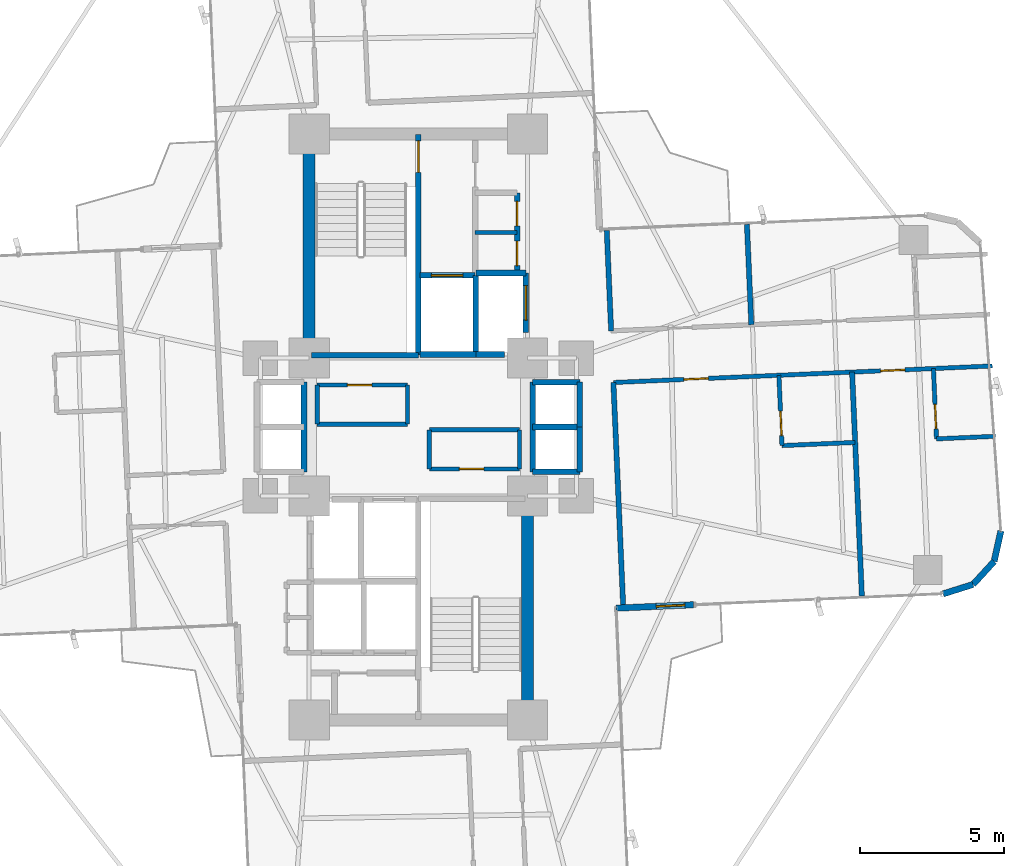
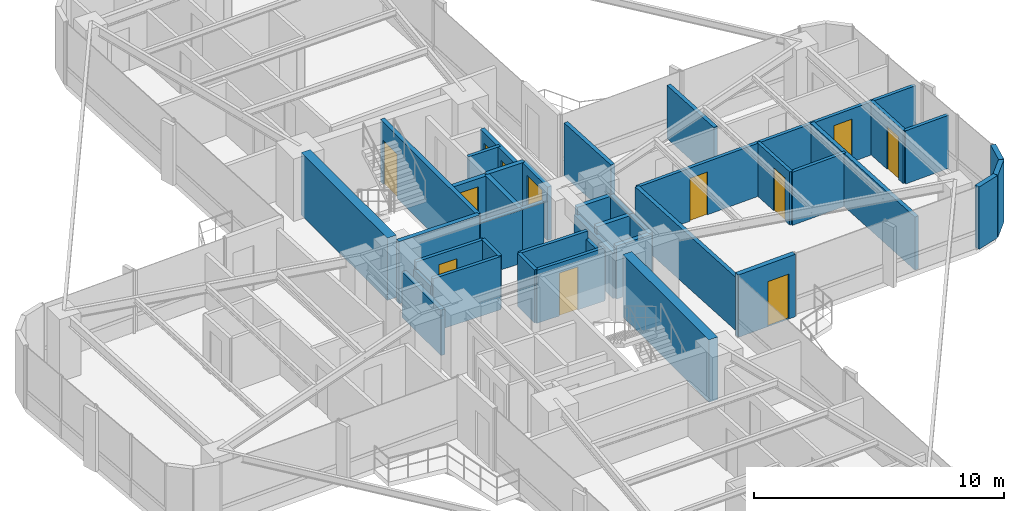
# One storey, part 24 of 27: 40 walls, 12 doors, 12 openings.
"""IFC4 building model written with IfcOpenShell, lengths in metres."""

from ifc_helpers import new_model, si_unit, direction, frame, frame_2d, origin, origin_2d, place, context, subcontext, project, spatial, rectangle, extrude, source, transform, mapped, material, layer, layer_set, type_object, element, fill, save


model = new_model("IFC4")

# Units and contexts
model_context = context("Model", 3, precision=1e-05, world=origin(), true_north=direction((0.0, 1.0)))
body_context = subcontext(model_context, "Body", "Model", "MODEL_VIEW")
ifc_project = project(units=[si_unit("LENGTHUNIT", "METRE"), si_unit("AREAUNIT", "SQUARE_METRE"), si_unit("VOLUMEUNIT", "CUBIC_METRE"), si_unit("PLANEANGLEUNIT", "RADIAN"), si_unit("MASSUNIT", "GRAM", prefix="KILO")], contexts=[model_context])

# Site, building, storey
site_placement = place(None, origin())
site = spatial("IfcSite", under=ifc_project, at=site_placement, CompositionType="ELEMENT")
building_placement = place(site_placement, origin())
building = spatial("IfcBuilding", under=site, at=building_placement, Name="Sahyath Konkavel Grand Hotel", CompositionType="ELEMENT")
storey_placement = place(building_placement, frame((0.0, 0.0, 103.60009765625)))
storey = spatial("IfcBuildingStorey", under=building, at=storey_placement, Name="L28", CompositionType="ELEMENT", Elevation=103.60009765625)

# Walls
ifc_material_1 = material(Name="Concrete C50/60", Category="concrete")
ifc_layer_1 = layer(ifc_material_1, 0.419921875)
ifc_layer_set_1 = layer_set([ifc_layer_1], Name="Concrete C50/60")
wall_type_1 = type_object("IfcWallType", Name="CWALL-420", PredefinedType="SHEAR", material=ifc_layer_set_1)
for number, where, z_axis, x_axis, name in (
    (1, (-3.800048828125, 2.85009765625, 0.0), (0.0, 0.0, 1.0), (0.0, 1.0, 0.0), "L28 North Core Shear Wall W"),
    (2, (3.800048828125, -9.75, 0.0), (0.0, 0.0, 1.0), (0.0, 1.0, 0.0), "L28 South Core Shear Wall E"),
):
    element("IfcWall", number, at=place(storey_placement, frame(where, z_axis=z_axis, x_axis=x_axis)), inside=storey, type_object=wall_type_1, Name=name, PredefinedType="SHEAR", context=body_context, shape_type="SweptSolid", body=[
        extrude(rectangle(XDim=6.89990234375, YDim=0.419921875, at=frame_2d((3.449951171875, 0.0))), origin(), (0.0, 0.0, 1.0), 3.0498046875),
    ])

# Wall, opening, door
ifc_material_2 = material(Name="Warm Buff Sandstone Insulated Concrete C40/50", Category="masonry")
ifc_layer_2 = layer(ifc_material_2, 0.219970703125)
ifc_layer_set_2 = layer_set([ifc_layer_2], Name="Warm Buff Sandstone Insulated Concrete C40/50")
wall_type_2 = type_object("IfcWallType", Name="WLL-BALC-THRESH", PredefinedType="STANDARD", material=ifc_layer_set_2)
wall_1_placement = place(storey_placement, frame((6.881591796875, -6.305908203125, 0.0), z_axis=(0.0, 0.0, 1.0), x_axis=(0.999045894436, 0.043672655174, 0.0)))
wall_1 = element("IfcWall", 3, at=wall_1_placement, inside=storey, type_object=wall_type_2, Name="L28 Winter-Garden Threshold Wall 0", PredefinedType="STANDARD", context=body_context, shape_type="SweptSolid", body=[
    extrude(rectangle(XDim=2.7001953125, YDim=0.219970703125, at=frame_2d((1.35009765625, 0.0))), origin(), (0.0, 0.0, 1.0), 3.0498046875),
])
opening_1_placement = place(wall_1_placement, frame((1.39990234375, 0.0, 0.0)))
opening_1 = element("IfcOpeningElement", 4, at=opening_1_placement, cuts=wall_1, Name="Opening D-TR1", PredefinedType="OPENING", context=body_context, shape_type="SweptSolid", body=[
    extrude(rectangle(XDim=1.0, YDim=2.199951171875, at=frame_2d((0.5, 1.10009765625))), frame((0.0, 0.1201171875, 0.0), z_axis=(0.0, -1.0, 0.0), x_axis=(1.0, 0.0, 0.0)), (0.0, 0.0, 1.0), 0.239990234375),
])
ifc_material_3 = material(Name="Anodised Bronze Aluminium & Low-E Glazing", Category="aluminium")
door_type_1 = type_object("IfcDoorType", Name="DR-TERRACE-1000", OperationType="NOTDEFINED", PredefinedType="DOOR", material=ifc_material_3)
shared_shape_1 = source(origin(), body_context, "Body", "SweptSolid", [
    extrude(rectangle(XDim=1.0, YDim=0.050048828125, at=origin_2d()), origin(), (0.0, 0.0, 1.0), 2.199951171875),
])
door_1_placement = place(opening_1_placement, frame((0.5, 0.0, 0.0)))
door_1 = element("IfcDoor", 5, at=door_1_placement, inside=storey, type_object=door_type_1, Name="L28 Winter-Garden Terrace Door 0", OperationType="SINGLE_SWING_LEFT", OverallHeight=2.199951171875, OverallWidth=1.0, PredefinedType="DOOR", context=body_context, shape_type="MappedRepresentation", body=[
    mapped(shared_shape_1, transform((0.0, 0.0, 0.0), scale=1.0)),
])
fill(opening_1, door_1)

# Walls
for number, where, z_axis, x_axis, name in (
    (6, (18.270751953125, -5.80859375, 0.0), (0.0, 0.0, 1.0), (0.953721713582, 0.30069069331, 0.0), "L28 Rounded Corner Sandstone Pier 1"),
    (7, (19.3076171875, -5.481689453125, 0.0), (0.0, 0.0, 1.0), (0.675551721847, 0.737312600672, 0.0), "L28 Rounded Corner Sandstone Pier 2"),
):
    element("IfcWall", number, at=place(storey_placement, frame(where, z_axis=z_axis, x_axis=x_axis)), inside=storey, type_object=wall_type_2, Name=name, PredefinedType="STANDARD", context=body_context, shape_type="SweptSolid", body=[
        extrude(rectangle(XDim=1.087158203125, YDim=0.219970703125, at=frame_2d((0.54345703125, 0.0))), origin(), (0.0, 0.0, 1.0), 3.0498046875),
    ])
wall_2_placement = place(storey_placement, frame((20.0419921875, -4.68017578125, 0.0), z_axis=(0.0, 0.0, 1.0), x_axis=(0.216288323511, 0.976329535102, 0.0)))
element("IfcWall", 8, at=wall_2_placement, inside=storey, type_object=wall_type_2, Name="L28 Rounded Corner Sandstone Pier 3", PredefinedType="STANDARD", context=body_context, shape_type="SweptSolid", body=[
    extrude(rectangle(XDim=1.0869140625, YDim=0.219970703125, at=frame_2d((0.54345703125, 0.0))), origin(), (0.0, 0.0, 1.0), 3.0498046875),
])

# Wall, opening, door
ifc_material_4 = material(Name="Concrete C40/50", Category="concrete")
ifc_layer_3 = layer(ifc_material_4, 0.199951171875)
ifc_layer_set_3 = layer_set([ifc_layer_3], Name="Concrete C40/50")
wall_type_3 = type_object("IfcWallType", Name="WLL-CORE-200", PredefinedType="SOLIDWALL", material=ifc_layer_set_3)
wall_3_placement = place(storey_placement, frame((0.0, 2.5, 0.0), z_axis=(0.0, 0.0, 1.0), x_axis=(0.0, 1.0, 0.0)))
wall_3 = element("IfcWall", 9, at=wall_3_placement, inside=storey, type_object=wall_type_3, Name="L28 Stair ST-1 Shaft Wall E", PredefinedType="SOLIDWALL", context=body_context, shape_type="SweptSolid", body=[
    extrude(rectangle(XDim=7.679931640625, YDim=0.199951171875, at=frame_2d((3.83984375, 0.0))), origin(), (0.0, 0.0, 1.0), 3.0498046875),
])
opening_2_placement = place(wall_3_placement, frame((6.360107421875, 0.0, 0.0)))
opening_2 = element("IfcOpeningElement", 10, at=opening_2_placement, cuts=wall_3, Name="Opening D-F12B", PredefinedType="OPENING", context=body_context, shape_type="SweptSolid", body=[
    extrude(rectangle(XDim=1.10009765625, YDim=2.14990234375, at=frame_2d((0.550048828125, 1.074951171875))), frame((0.0, 0.10986328125, 0.0), z_axis=(0.0, -1.0, 0.0), x_axis=(1.0, 0.0, 0.0)), (0.0, 0.0, 1.0), 0.219970703125),
])
ifc_material_5 = material(Name="Steel E350 Smokeproof Fire Door", Category="steel")
door_type_2 = type_object("IfcDoorType", Name="DR-FD120-1100", OperationType="NOTDEFINED", PredefinedType="DOOR", material=ifc_material_5)
shared_shape_2 = source(origin(), body_context, "Body", "SweptSolid", [
    extrude(rectangle(XDim=1.10009765625, YDim=0.050048828125, at=origin_2d()), origin(), (0.0, 0.0, 1.0), 2.14990234375),
])
door_2_placement = place(opening_2_placement, frame((0.550048828125, 0.0, 0.0)))
door_2 = element("IfcDoor", 11, at=door_2_placement, inside=storey, type_object=door_type_2, Name="L28 Stair ST-1 Fire Door", OperationType="SINGLE_SWING_RIGHT", OverallHeight=2.14990234375, OverallWidth=1.10009765625, PredefinedType="DOOR", context=body_context, shape_type="MappedRepresentation", body=[
    mapped(shared_shape_2, transform((0.0, 0.0, 0.0), scale=1.0)),
])
fill(opening_2, door_2)

# Walls
wall_4_placement = place(storey_placement, frame((-3.719970703125, 2.5, 0.0), z_axis=(0.0, 0.0, 1.0), x_axis=(1.0, 0.0, 0.0)))
element("IfcWall", 12, at=wall_4_placement, inside=storey, type_object=wall_type_3, Name="L28 Stair ST-1 Shaft Wall S", PredefinedType="SOLIDWALL", context=body_context, shape_type="SweptSolid", body=[
    extrude(rectangle(XDim=3.719970703125, YDim=0.199951171875, at=frame_2d((1.85986328125, 0.0))), origin(), (0.0, 0.0, 1.0), 3.0498046875),
])
wall_5_placement = place(storey_placement, frame((2.0, 2.5, 0.0), z_axis=(0.0, 0.0, 1.0), x_axis=(0.0, 1.0, 0.0)))
element("IfcWall", 13, at=wall_5_placement, inside=storey, type_object=wall_type_3, Name="L28 Partition SH-FFL1-E", PredefinedType="SOLIDWALL", context=body_context, shape_type="SweptSolid", body=[
    extrude(rectangle(XDim=2.780029296875, YDim=0.199951171875, at=frame_2d((1.39013671875, 0.0))), origin(), (0.0, 0.0, 1.0), 2.599853515625),
])
wall_6_placement = place(storey_placement, frame((0.050048828125, 2.52001953125, 0.0), z_axis=(0.0, 0.0, 1.0), x_axis=(1.0, 0.0, 0.0)))
element("IfcWall", 14, at=wall_6_placement, inside=storey, type_object=wall_type_3, Name="L28 Partition SH-FFL1-S", PredefinedType="SOLIDWALL", context=body_context, shape_type="SweptSolid", body=[
    extrude(rectangle(XDim=1.949951171875, YDim=0.199951171875, at=frame_2d((0.97509765625, 0.0))), origin(), (0.0, 0.0, 1.0), 2.599853515625),
])

# Wall, opening, door
wall_7_placement = place(storey_placement, frame((0.050048828125, 5.280029296875, 0.0), z_axis=(0.0, 0.0, 1.0), x_axis=(1.0, 0.0, 0.0)))
wall_7 = element("IfcWall", 15, at=wall_7_placement, inside=storey, type_object=wall_type_3, Name="L28 Partition SH-FFL1-N", PredefinedType="SOLIDWALL", context=body_context, shape_type="SweptSolid", body=[
    extrude(rectangle(XDim=1.929931640625, YDim=0.199951171875, at=frame_2d((0.96484375, 0.0))), origin(), (0.0, 0.0, 1.0), 2.599853515625),
])
opening_3_placement = place(wall_7_placement, frame((0.39990234375, 0.0, 0.0)))
opening_3 = element("IfcOpeningElement", 16, at=opening_3_placement, cuts=wall_7, Name="Opening LD-11", PredefinedType="OPENING", context=body_context, shape_type="SweptSolid", body=[
    extrude(rectangle(XDim=1.10009765625, YDim=2.199951171875, at=frame_2d((0.550048828125, 1.10009765625))), frame((0.0, 0.10986328125, 0.0), z_axis=(0.0, -1.0, 0.0), x_axis=(1.0, 0.0, 0.0)), (0.0, 0.0, 1.0), 0.219970703125),
])
ifc_material_6 = material(Name="Bronze Lift Landing Door 1100")
door_type_3 = type_object("IfcDoorType", Name="DR-LIFT-1100", OperationType="DOUBLE_DOOR_SLIDING", PredefinedType="DOOR", material=ifc_material_6)
shared_shape_3 = source(origin(), body_context, "Body", "SweptSolid", [
    extrude(rectangle(XDim=1.10009765625, YDim=0.050048828125, at=origin_2d()), origin(), (0.0, 0.0, 1.0), 2.199951171875),
])
door_3_placement = place(opening_3_placement, frame((0.550048828125, 0.0, 0.0)))
door_3 = element("IfcDoor", 17, at=door_3_placement, inside=storey, type_object=door_type_3, Name="L28 Lift FFL-1 Landing Door", OperationType="DOUBLE_DOOR_SLIDING", OverallHeight=2.199951171875, OverallWidth=1.10009765625, PredefinedType="DOOR", context=body_context, shape_type="MappedRepresentation", body=[
    mapped(shared_shape_3, transform((0.0, 0.0, 0.0), scale=1.0)),
])
fill(opening_3, door_3)

# Walls
wall_8_placement = place(storey_placement, frame((2.0, 2.52001953125, 0.0), z_axis=(0.0, 0.0, 1.0), x_axis=(1.0, 0.0, 0.0)))
element("IfcWall", 18, at=wall_8_placement, inside=storey, type_object=wall_type_3, Name="L28 Partition SH-SVL1-S", PredefinedType="SOLIDWALL", context=body_context, shape_type="SweptSolid", body=[
    extrude(rectangle(XDim=1.0, YDim=0.199951171875, at=frame_2d((0.5, 0.0))), origin(), (0.0, 0.0, 1.0), 2.599853515625),
])
wall_9_placement = place(storey_placement, frame((2.0, 5.360107421875, 0.0), z_axis=(0.0, 0.0, 1.0), x_axis=(1.0, 0.0, 0.0)))
element("IfcWall", 19, at=wall_9_placement, inside=storey, type_object=wall_type_3, Name="L28 Partition SH-SVL1-N", PredefinedType="SOLIDWALL", context=body_context, shape_type="SweptSolid", body=[
    extrude(rectangle(XDim=1.739990234375, YDim=0.199951171875, at=frame_2d((0.8701171875, 0.0))), origin(), (0.0, 0.0, 1.0), 2.599853515625),
])

# Wall, opening, door
wall_10_placement = place(storey_placement, frame((3.739990234375, 3.280029296875, 0.0), z_axis=(0.0, 0.0, 1.0), x_axis=(0.0, 1.0, 0.0)))
wall_10 = element("IfcWall", 20, at=wall_10_placement, inside=storey, type_object=wall_type_3, Name="L28 Partition SH-SVL1-E", PredefinedType="SOLIDWALL", context=body_context, shape_type="SweptSolid", body=[
    extrude(rectangle(XDim=2.080078125, YDim=0.199951171875, at=frame_2d((1.0400390625, 0.0))), origin(), (0.0, 0.0, 1.0), 2.599853515625),
])
opening_4_placement = place(wall_10_placement, frame((0.43994140625, 0.0, 0.0)))
opening_4 = element("IfcOpeningElement", 21, at=opening_4_placement, cuts=wall_10, Name="Opening LD-12", PredefinedType="OPENING", context=body_context, shape_type="SweptSolid", body=[
    extrude(rectangle(XDim=1.199951171875, YDim=2.199951171875, at=frame_2d((0.60009765625, 1.10009765625))), frame((0.0, 0.10986328125, 0.0), z_axis=(0.0, -1.0, 0.0), x_axis=(1.0, 0.0, 0.0)), (0.0, 0.0, 1.0), 0.219970703125),
])
ifc_material_7 = material(Name="Stainless Steel Lift Landing Door 1200", Category="steel")
door_type_4 = type_object("IfcDoorType", Name="DR-LIFT-1200", OperationType="DOUBLE_DOOR_SLIDING", PredefinedType="DOOR", material=ifc_material_7)
shared_shape_4 = source(origin(), body_context, "Body", "SweptSolid", [
    extrude(rectangle(XDim=1.199951171875, YDim=0.050048828125, at=origin_2d()), origin(), (0.0, 0.0, 1.0), 2.199951171875),
])
door_4_placement = place(opening_4_placement, frame((0.60009765625, 0.0, 0.0)))
door_4 = element("IfcDoor", 22, at=door_4_placement, inside=storey, type_object=door_type_4, Name="L28 Service Lift SVL-1 Landing Door", OperationType="DOUBLE_DOOR_SLIDING", OverallHeight=2.199951171875, OverallWidth=1.199951171875, PredefinedType="DOOR", context=body_context, shape_type="MappedRepresentation", body=[
    mapped(shared_shape_4, transform((0.0, 0.0, 0.0), scale=1.0)),
])
fill(opening_4, door_4)

# Walls
wall_11_placement = place(storey_placement, frame((3.97998046875, -1.56005859375, 0.0), z_axis=(0.0, 0.0, 1.0), x_axis=(0.0, 1.0, 0.0)))
element("IfcWall", 23, at=wall_11_placement, inside=storey, type_object=wall_type_3, Name="L28 Partition SH-PL56-W", PredefinedType="SOLIDWALL", context=body_context, shape_type="SweptSolid", body=[
    extrude(rectangle(XDim=3.1201171875, YDim=0.199951171875, at=frame_2d((1.56005859375, 0.0))), origin(), (0.0, 0.0, 1.0), 2.219970703125),
])
for number, where, z_axis, x_axis, name in (
    (24, (3.97998046875, 1.56005859375, 0.0), (0.0, 0.0, 1.0), (1.0, 0.0, 0.0), "L28 Partition SH-PL56-N"),
    (25, (3.97998046875, -1.56005859375, 0.0), (0.0, 0.0, 1.0), (1.0, 0.0, 0.0), "L28 Partition SH-PL56-S"),
    (26, (3.97998046875, 0.0, 0.0), (0.0, 0.0, 1.0), (1.0, 0.0, 0.0), "L28 Partition SH-PL56-M"),
):
    element("IfcWall", number, at=place(storey_placement, frame(where, z_axis=z_axis, x_axis=x_axis)), inside=storey, type_object=wall_type_3, Name=name, PredefinedType="SOLIDWALL", context=body_context, shape_type="SweptSolid", body=[
        extrude(rectangle(XDim=1.64013671875, YDim=0.199951171875, at=frame_2d((0.820068359375, 0.0))), origin(), (0.0, 0.0, 1.0), 2.599853515625),
    ])
for number, where, z_axis, x_axis, name in (
    (27, (5.6201171875, 0.0, 0.0), (0.0, 0.0, 1.0), (0.0, 1.0, 0.0), "L28 Partition SH-PL5-E"),
    (28, (5.6201171875, -1.56005859375, 0.0), (0.0, 0.0, 1.0), (0.0, 1.0, 0.0), "L28 Partition SH-PL6-E"),
):
    element("IfcWall", number, at=place(storey_placement, frame(where, z_axis=z_axis, x_axis=x_axis)), inside=storey, type_object=wall_type_3, Name=name, PredefinedType="SOLIDWALL", context=body_context, shape_type="SweptSolid", body=[
        extrude(rectangle(XDim=1.56005859375, YDim=0.199951171875, at=frame_2d((0.780029296875, 0.0))), origin(), (0.0, 0.0, 1.0), 2.599853515625),
    ])
wall_12_placement = place(storey_placement, frame((-3.97998046875, -1.56005859375, 0.0), z_axis=(0.0, 0.0, 1.0), x_axis=(0.0, 1.0, 0.0)))
element("IfcWall", 29, at=wall_12_placement, inside=storey, type_object=wall_type_3, Name="L28 Partition SH-SL12-E", PredefinedType="SOLIDWALL", context=body_context, shape_type="SweptSolid", body=[
    extrude(rectangle(XDim=3.1201171875, YDim=0.199951171875, at=frame_2d((1.56005859375, 0.0))), origin(), (0.0, 0.0, 1.0), 2.219970703125),
])

# Wall, openings, doors
wall_13_placement = place(storey_placement, frame((3.43994140625, 5.3798828125, 0.0), z_axis=(0.0, 0.0, 1.0), x_axis=(0.0, 1.0, 0.0)))
wall_13 = element("IfcWall", 30, at=wall_13_placement, inside=storey, type_object=wall_type_3, Name="L28 Reclaimed North Core Wall E", PredefinedType="SOLIDWALL", context=body_context, shape_type="SweptSolid", body=[
    extrude(rectangle(XDim=2.77001953125, YDim=0.199951171875, at=frame_2d((1.385009765625, 0.0))), origin(), (0.0, 0.0, 1.0), 2.599853515625),
])
opening_5_placement = place(wall_13_placement, frame((0.239990234375, 0.0, 0.0)))
opening_5 = element("IfcOpeningElement", 31, at=opening_5_placement, cuts=wall_13, Name="Opening D-F06D", PredefinedType="OPENING", context=body_context, shape_type="SweptSolid", body=[
    extrude(rectangle(XDim=0.85009765625, YDim=2.10009765625, at=frame_2d((0.425048828125, 1.050048828125))), frame((0.0, 0.10986328125, 0.0), z_axis=(0.0, -1.0, 0.0), x_axis=(1.0, 0.0, 0.0)), (0.0, 0.0, 1.0), 0.219970703125),
])
opening_6_placement = place(wall_13_placement, frame((1.6201171875, 0.0, 0.0)))
opening_6 = element("IfcOpeningElement", 32, at=opening_6_placement, cuts=wall_13, Name="Opening D-F06D", PredefinedType="OPENING", context=body_context, shape_type="SweptSolid", body=[
    extrude(rectangle(XDim=0.85009765625, YDim=2.10009765625, at=frame_2d((0.425048828125, 1.050048828125))), frame((0.0, 0.10986328125, 0.0), z_axis=(0.0, -1.0, 0.0), x_axis=(1.0, 0.0, 0.0)), (0.0, 0.0, 1.0), 0.219970703125),
])
ifc_material_8 = material(Name="Fire-Rated Shaft Access Door")
door_type_5 = type_object("IfcDoorType", Name="DR-FD60-850", OperationType="NOTDEFINED", PredefinedType="DOOR", material=ifc_material_8)
shared_shape_5 = source(origin(), body_context, "Body", "SweptSolid", [
    extrude(rectangle(XDim=0.85009765625, YDim=0.050048828125, at=origin_2d()), origin(), (0.0, 0.0, 1.0), 2.10009765625),
])
door_5_placement = place(opening_5_placement, frame((0.425048828125, 0.0, 0.0)))
door_5 = element("IfcDoor", 33, at=door_5_placement, inside=storey, type_object=door_type_5, Name="L28 Door NC-REC1-D", OperationType="SINGLE_SWING_LEFT", OverallHeight=2.10009765625, OverallWidth=0.85009765625, PredefinedType="DOOR", context=body_context, shape_type="MappedRepresentation", body=[
    mapped(shared_shape_5, transform((0.0, 0.0, 0.0), scale=1.0)),
])
fill(opening_5, door_5)
door_6_placement = place(opening_6_placement, frame((0.425048828125, 0.0, 0.0)))
door_6 = element("IfcDoor", 34, at=door_6_placement, inside=storey, type_object=door_type_5, Name="L28 Door NC-REC2-D", OperationType="SINGLE_SWING_RIGHT", OverallHeight=2.10009765625, OverallWidth=0.85009765625, PredefinedType="DOOR", context=body_context, shape_type="MappedRepresentation", body=[
    mapped(shared_shape_5, transform((0.0, 0.0, 0.0), scale=1.0)),
])
fill(opening_6, door_6)

# Walls
ifc_material_9 = material(Name="Twin-Stud Acoustic Gypsum Plasterboard Partition")
ifc_layer_4 = layer(ifc_material_9, 0.179931640625)
ifc_layer_set_4 = layer_set([ifc_layer_4], Name="Twin-Stud Acoustic Gypsum Plasterboard Partition")
wall_type_4 = type_object("IfcWallType", Name="WLL-DEMISE-180", PredefinedType="PARTITIONING", material=ifc_layer_set_4)
wall_14_placement = place(storey_placement, frame((6.71044921875, 3.345947265625, 0.0), z_axis=(0.0, 0.0, 1.0), x_axis=(-0.043597663116, 0.999049169846, 0.0)))
element("IfcWall", 35, at=wall_14_placement, inside=storey, type_object=wall_type_4, Name="L28 Partition E-INL", PredefinedType="PARTITIONING", context=body_context, shape_type="SweptSolid", body=[
    extrude(rectangle(XDim=3.5, YDim=0.179931640625, at=frame_2d((1.75, 0.0))), origin(), (0.0, 0.0, 1.0), 2.599853515625),
])
wall_15_placement = place(storey_placement, frame((7.129150390625, -6.2451171875, 0.0), z_axis=(0.0, 0.0, 1.0), x_axis=(-0.043600217373, 0.999049058378, 0.0)))
element("IfcWall", 36, at=wall_15_placement, inside=storey, type_object=wall_type_4, Name="L28 Partition E-INR", PredefinedType="PARTITIONING", context=body_context, shape_type="SweptSolid", body=[
    extrude(rectangle(XDim=7.800048828125, YDim=0.179931640625, at=frame_2d((3.89990234375, 0.0))), origin(), (0.0, 0.0, 1.0), 2.599853515625),
])
wall_16_placement = place(storey_placement, frame((11.58984375, 3.558837890625, 0.0), z_axis=(0.0, 0.0, 1.0), x_axis=(-0.04366424353, 0.99904626211, 0.0)))
element("IfcWall", 37, at=wall_16_placement, inside=storey, type_object=wall_type_4, Name="L28 Partition E-E1L-DEM", PredefinedType="PARTITIONING", context=body_context, shape_type="SweptSolid", body=[
    extrude(rectangle(XDim=3.500244140625, YDim=0.179931640625, at=frame_2d((1.75, 0.0))), origin(), (0.0, 0.0, 1.0), 2.599853515625),
])
wall_17_placement = place(storey_placement, frame((15.096923828125, 1.910400390625, 0.0), z_axis=(0.0, 0.0, 1.0), x_axis=(0.043632821702, -0.999047634936, 0.0)))
element("IfcWall", 38, at=wall_17_placement, inside=storey, type_object=wall_type_4, Name="L28 Partition E-E1R-DEM", PredefinedType="PARTITIONING", context=body_context, shape_type="SweptSolid", body=[
    extrude(rectangle(XDim=7.7998046875, YDim=0.179931640625, at=frame_2d((3.89990234375, 0.0))), origin(), (0.0, 0.0, 1.0), 2.599853515625),
])
ifc_material_10 = material(Name="Fire-Rated Gypsum Plasterboard Partition")
ifc_layer_5 = layer(ifc_material_10, 0.14990234375)
ifc_layer_set_5 = layer_set([ifc_layer_5], Name="Fire-Rated Gypsum Plasterboard Partition")
wall_type_5 = type_object("IfcWallType", Name="WLL-PART-150", PredefinedType="PARTITIONING", material=ifc_layer_set_5)
wall_18_placement = place(storey_placement, frame((1.97998046875, 6.77001953125, 0.0), z_axis=(0.0, 0.0, 1.0), x_axis=(1.0, 0.0, 0.0)))
element("IfcWall", 39, at=wall_18_placement, inside=storey, type_object=wall_type_5, Name="L28 Partition NC-REC-M1", PredefinedType="PARTITIONING", context=body_context, shape_type="SweptSolid", body=[
    extrude(rectangle(XDim=1.4599609375, YDim=0.14990234375, at=frame_2d((0.72998046875, 0.0))), origin(), (0.0, 0.0, 1.0), 2.599853515625),
])
wall_19_placement = place(storey_placement, frame((-3.52001953125, 0.10009765625, 0.0), z_axis=(0.0, 0.0, 1.0), x_axis=(1.0, 0.0, 0.0)))
element("IfcWall", 40, at=wall_19_placement, inside=storey, type_object=wall_type_5, Name="L28 Partition CC-3NWS", PredefinedType="PARTITIONING", context=body_context, shape_type="SweptSolid", body=[
    extrude(rectangle(XDim=3.14013671875, YDim=0.14990234375, at=frame_2d((1.570068359375, 0.0))), origin(), (0.0, 0.0, 1.0), 2.599853515625),
])

# Wall, opening, door
wall_20_placement = place(storey_placement, frame((-3.52001953125, 1.4599609375, 0.0), z_axis=(0.0, 0.0, 1.0), x_axis=(1.0, 0.0, 0.0)))
wall_20 = element("IfcWall", 41, at=wall_20_placement, inside=storey, type_object=wall_type_5, Name="L28 Partition CC-3NWN", PredefinedType="PARTITIONING", context=body_context, shape_type="SweptSolid", body=[
    extrude(rectangle(XDim=3.14013671875, YDim=0.14990234375, at=frame_2d((1.570068359375, 0.0))), origin(), (0.0, 0.0, 1.0), 2.599853515625),
])
opening_7_placement = place(wall_20_placement, frame((1.050048828125, 0.0, 0.0)))
opening_7 = element("IfcOpeningElement", 42, at=opening_7_placement, cuts=wall_20, Name="Opening D-F06D", PredefinedType="OPENING", context=body_context, shape_type="SweptSolid", body=[
    extrude(rectangle(XDim=0.85009765625, YDim=2.10009765625, at=frame_2d((0.425048828125, 1.050048828125))), frame((0.0, 0.0849609375, 0.0), z_axis=(0.0, -1.0, 0.0), x_axis=(1.0, 0.0, 0.0)), (0.0, 0.0, 1.0), 0.169921875),
])
door_7_placement = place(opening_7_placement, frame((0.425048828125, 0.0, 0.0)))
door_7 = element("IfcDoor", 43, at=door_7_placement, inside=storey, type_object=door_type_5, Name="L28 Door CC-D3NW", OperationType="SINGLE_SWING_LEFT", OverallHeight=2.10009765625, OverallWidth=0.85009765625, PredefinedType="DOOR", context=body_context, shape_type="MappedRepresentation", body=[
    mapped(shared_shape_5, transform((0.0, 0.0, 0.0), scale=1.0)),
])
fill(opening_7, door_7)

# Walls
wall_21_placement = place(storey_placement, frame((-3.52001953125, 0.10009765625, 0.0), z_axis=(0.0, 0.0, 1.0), x_axis=(0.0, 1.0, 0.0)))
element("IfcWall", 44, at=wall_21_placement, inside=storey, type_object=wall_type_5, Name="L28 Partition CC-3NWW", PredefinedType="PARTITIONING", context=body_context, shape_type="SweptSolid", body=[
    extrude(rectangle(XDim=1.35986328125, YDim=0.14990234375, at=frame_2d((0.679931640625, 0.0))), origin(), (0.0, 0.0, 1.0), 2.219970703125),
])
wall_22_placement = place(storey_placement, frame((-0.3798828125, 0.10009765625, 0.0), z_axis=(0.0, 0.0, 1.0), x_axis=(0.0, 1.0, 0.0)))
element("IfcWall", 45, at=wall_22_placement, inside=storey, type_object=wall_type_5, Name="L28 Partition CC-3NWE", PredefinedType="PARTITIONING", context=body_context, shape_type="SweptSolid", body=[
    extrude(rectangle(XDim=1.35986328125, YDim=0.14990234375, at=frame_2d((0.679931640625, 0.0))), origin(), (0.0, 0.0, 1.0), 2.599853515625),
])
wall_23_placement = place(storey_placement, frame((0.3798828125, -0.10009765625, 0.0), z_axis=(0.0, 0.0, 1.0), x_axis=(1.0, 0.0, 0.0)))
element("IfcWall", 46, at=wall_23_placement, inside=storey, type_object=wall_type_5, Name="L28 Partition CC-3SEN", PredefinedType="PARTITIONING", context=body_context, shape_type="SweptSolid", body=[
    extrude(rectangle(XDim=3.14013671875, YDim=0.14990234375, at=frame_2d((1.570068359375, 0.0))), origin(), (0.0, 0.0, 1.0), 2.599853515625),
])

# Wall, opening, door
wall_24_placement = place(storey_placement, frame((0.3798828125, -1.4599609375, 0.0), z_axis=(0.0, 0.0, 1.0), x_axis=(1.0, 0.0, 0.0)))
wall_24 = element("IfcWall", 47, at=wall_24_placement, inside=storey, type_object=wall_type_5, Name="L28 Partition CC-3SES", PredefinedType="PARTITIONING", context=body_context, shape_type="SweptSolid", body=[
    extrude(rectangle(XDim=3.14013671875, YDim=0.14990234375, at=frame_2d((1.570068359375, 0.0))), origin(), (0.0, 0.0, 1.0), 2.599853515625),
])
opening_8_placement = place(wall_24_placement, frame((1.050048828125, 0.0, 0.0)))
opening_8 = element("IfcOpeningElement", 48, at=opening_8_placement, cuts=wall_24, Name="Opening D-F06D", PredefinedType="OPENING", context=body_context, shape_type="SweptSolid", body=[
    extrude(rectangle(XDim=0.85009765625, YDim=2.10009765625, at=frame_2d((0.425048828125, 1.050048828125))), frame((0.0, 0.0849609375, 0.0), z_axis=(0.0, -1.0, 0.0), x_axis=(1.0, 0.0, 0.0)), (0.0, 0.0, 1.0), 0.169921875),
])
door_8_placement = place(opening_8_placement, frame((0.425048828125, 0.0, 0.0)))
door_8 = element("IfcDoor", 49, at=door_8_placement, inside=storey, type_object=door_type_5, Name="L28 Door CC-D3SE", OperationType="SINGLE_SWING_RIGHT", OverallHeight=2.10009765625, OverallWidth=0.85009765625, PredefinedType="DOOR", context=body_context, shape_type="MappedRepresentation", body=[
    mapped(shared_shape_5, transform((0.0, 0.0, 0.0), scale=1.0)),
])
fill(opening_8, door_8)

# Walls
wall_25_placement = place(storey_placement, frame((0.3798828125, -1.4599609375, 0.0), z_axis=(0.0, 0.0, 1.0), x_axis=(0.0, 1.0, 0.0)))
element("IfcWall", 50, at=wall_25_placement, inside=storey, type_object=wall_type_5, Name="L28 Partition CC-3SEW", PredefinedType="PARTITIONING", context=body_context, shape_type="SweptSolid", body=[
    extrude(rectangle(XDim=1.35986328125, YDim=0.14990234375, at=frame_2d((0.679931640625, 0.0))), origin(), (0.0, 0.0, 1.0), 2.599853515625),
])
wall_26_placement = place(storey_placement, frame((3.52001953125, -1.4599609375, 0.0), z_axis=(0.0, 0.0, 1.0), x_axis=(0.0, 1.0, 0.0)))
element("IfcWall", 51, at=wall_26_placement, inside=storey, type_object=wall_type_5, Name="L28 Partition CC-3SEE", PredefinedType="PARTITIONING", context=body_context, shape_type="SweptSolid", body=[
    extrude(rectangle(XDim=1.35986328125, YDim=0.14990234375, at=frame_2d((0.679931640625, 0.0))), origin(), (0.0, 0.0, 1.0), 2.219970703125),
])

# Wall, openings, doors
wall_27_placement = place(storey_placement, frame((6.7890625, 1.547607421875, 0.0), z_axis=(0.0, 0.0, 1.0), x_axis=(0.999048500303, 0.043613003123, 0.0)))
wall_27 = element("IfcWall", 52, at=wall_27_placement, inside=storey, type_object=wall_type_5, Name="L28 Partition E-CR", PredefinedType="PARTITIONING", context=body_context, shape_type="SweptSolid", body=[
    extrude(rectangle(XDim=13.19970703125, YDim=0.14990234375, at=frame_2d((6.599853515625, 0.0))), origin(), (0.0, 0.0, 1.0), 2.599853515625),
])
opening_9_placement = place(wall_27_placement, frame((2.4580078125, 0.0, 0.0)))
opening_9 = element("IfcOpeningElement", 53, at=opening_9_placement, cuts=wall_27, Name="Opening D-F06D", PredefinedType="OPENING", context=body_context, shape_type="SweptSolid", body=[
    extrude(rectangle(XDim=0.85009765625, YDim=2.10009765625, at=frame_2d((0.425048828125, 1.050048828125))), frame((0.0, 0.0849609375, 0.0), z_axis=(0.0, -1.0, 0.0), x_axis=(1.0, 0.0, 0.0)), (0.0, 0.0, 1.0), 0.169921875),
])
opening_10_placement = place(wall_27_placement, frame((9.30810546875, 0.0, 0.0)))
opening_10 = element("IfcOpeningElement", 54, at=opening_10_placement, cuts=wall_27, Name="Opening D-F06D", PredefinedType="OPENING", context=body_context, shape_type="SweptSolid", body=[
    extrude(rectangle(XDim=0.85009765625, YDim=2.10009765625, at=frame_2d((0.425048828125, 1.050048828125))), frame((0.0, 0.0849609375, 0.0), z_axis=(0.0, -1.0, 0.0), x_axis=(1.0, 0.0, 0.0)), (0.0, 0.0, 1.0), 0.169921875),
])
door_9_placement = place(opening_9_placement, frame((0.425048828125, 0.0, 0.0)))
door_9 = element("IfcDoor", 55, at=door_9_placement, inside=storey, type_object=door_type_5, Name="L28 Door E-E1R-ED", OperationType="SINGLE_SWING_LEFT", OverallHeight=2.10009765625, OverallWidth=0.85009765625, PredefinedType="DOOR", context=body_context, shape_type="MappedRepresentation", body=[
    mapped(shared_shape_5, transform((0.0, 0.0, 0.0), scale=1.0)),
])
fill(opening_9, door_9)
door_10_placement = place(opening_10_placement, frame((0.425048828125, 0.0, 0.0)))
door_10 = element("IfcDoor", 56, at=door_10_placement, inside=storey, type_object=door_type_5, Name="L28 Door E-E2R-ED", OperationType="SINGLE_SWING_LEFT", OverallHeight=2.10009765625, OverallWidth=0.85009765625, PredefinedType="DOOR", context=body_context, shape_type="MappedRepresentation", body=[
    mapped(shared_shape_5, transform((0.0, 0.0, 0.0), scale=1.0)),
])
fill(opening_10, door_10)

# Wall, opening, door
wall_28_placement = place(storey_placement, frame((12.549560546875, 1.799072265625, 0.0), z_axis=(0.0, 0.0, 1.0), x_axis=(0.043545330602, -0.99905145222, 0.0)))
wall_28 = element("IfcWall", 57, at=wall_28_placement, inside=storey, type_object=wall_type_5, Name="L28 Partition E-E1R-BS", PredefinedType="PARTITIONING", context=body_context, shape_type="SweptSolid", body=[
    extrude(rectangle(XDim=2.4501953125, YDim=0.14990234375, at=frame_2d((1.22509765625, 0.0))), origin(), (0.0, 0.0, 1.0), 2.599853515625),
])
opening_11_placement = place(wall_28_placement, frame((1.25, 0.0, 0.0)))
opening_11 = element("IfcOpeningElement", 58, at=opening_11_placement, cuts=wall_28, Name="Opening D-BT85", PredefinedType="OPENING", context=body_context, shape_type="SweptSolid", body=[
    extrude(rectangle(XDim=0.85009765625, YDim=2.10009765625, at=frame_2d((0.425048828125, 1.050048828125))), frame((0.0, 0.0849609375, 0.0), z_axis=(0.0, -1.0, 0.0), x_axis=(1.0, 0.0, 0.0)), (0.0, 0.0, 1.0), 0.169921875),
])
ifc_material_11 = material(Name="Moisture-Resistant Teak Bathroom Door")
door_type_6 = type_object("IfcDoorType", Name="DR-BATH-850", OperationType="NOTDEFINED", PredefinedType="DOOR", material=ifc_material_11)
door_11_placement = place(opening_11_placement, frame((0.425048828125, 0.0, 0.0)))
door_11 = element("IfcDoor", 59, at=door_11_placement, inside=storey, type_object=door_type_6, Name="L28 Door E-E1R-BD", OperationType="SINGLE_SWING_RIGHT", OverallHeight=2.10009765625, OverallWidth=0.85009765625, PredefinedType="DOOR", context=body_context, shape_type="MappedRepresentation", body=[
    mapped(shared_shape_5, transform((0.0, 0.0, 0.0), scale=1.0)),
])
fill(opening_11, door_11)

# Wall
wall_29_placement = place(storey_placement, frame((12.65625, -0.648681640625, 0.0), z_axis=(0.0, 0.0, 1.0), x_axis=(0.999046560091, 0.043657425146, 0.0)))
element("IfcWall", 60, at=wall_29_placement, inside=storey, type_object=wall_type_5, Name="L28 Partition E-E1R-BF", PredefinedType="PARTITIONING", context=body_context, shape_type="SweptSolid", body=[
    extrude(rectangle(XDim=2.550048828125, YDim=0.14990234375, at=frame_2d((1.27490234375, 0.0))), origin(), (0.0, 0.0, 1.0), 2.599853515625),
])

# Wall, opening, door
wall_30_placement = place(storey_placement, frame((17.92822265625, 2.033935546875, 0.0), z_axis=(0.0, 0.0, 1.0), x_axis=(0.043644787072, -0.999047112283, 0.0)))
wall_30 = element("IfcWall", 61, at=wall_30_placement, inside=storey, type_object=wall_type_5, Name="L28 Partition E-E2R-BS", PredefinedType="PARTITIONING", context=body_context, shape_type="SweptSolid", body=[
    extrude(rectangle(XDim=2.4501953125, YDim=0.14990234375, at=frame_2d((1.22509765625, 0.0))), origin(), (0.0, 0.0, 1.0), 2.599853515625),
])
opening_12_placement = place(wall_30_placement, frame((1.25, 0.0, 0.0)))
opening_12 = element("IfcOpeningElement", 62, at=opening_12_placement, cuts=wall_30, Name="Opening D-BT85", PredefinedType="OPENING", context=body_context, shape_type="SweptSolid", body=[
    extrude(rectangle(XDim=0.85009765625, YDim=2.10009765625, at=frame_2d((0.425048828125, 1.050048828125))), frame((0.0, 0.0849609375, 0.0), z_axis=(0.0, -1.0, 0.0), x_axis=(1.0, 0.0, 0.0)), (0.0, 0.0, 1.0), 0.169921875),
])
door_12_placement = place(opening_12_placement, frame((0.425048828125, 0.0, 0.0)))
door_12 = element("IfcDoor", 63, at=door_12_placement, inside=storey, type_object=door_type_6, Name="L28 Door E-E2R-BD", OperationType="SINGLE_SWING_RIGHT", OverallHeight=2.10009765625, OverallWidth=0.85009765625, PredefinedType="DOOR", context=body_context, shape_type="MappedRepresentation", body=[
    mapped(shared_shape_5, transform((0.0, 0.0, 0.0), scale=1.0)),
])
fill(opening_12, door_12)

# Wall
wall_31_placement = place(storey_placement, frame((18.03515625, -0.413818359375, 0.0), z_axis=(0.0, 0.0, 1.0), x_axis=(0.999044437927, 0.043705961225, 0.0)))
element("IfcWall", 64, at=wall_31_placement, inside=storey, type_object=wall_type_5, Name="L28 Partition E-E2R-BF", PredefinedType="PARTITIONING", context=body_context, shape_type="SweptSolid", body=[
    extrude(rectangle(XDim=2.050048828125, YDim=0.14990234375, at=frame_2d((1.02490234375, 0.0))), origin(), (0.0, 0.0, 1.0), 2.599853515625),
])

save(model, "model.ifc")
